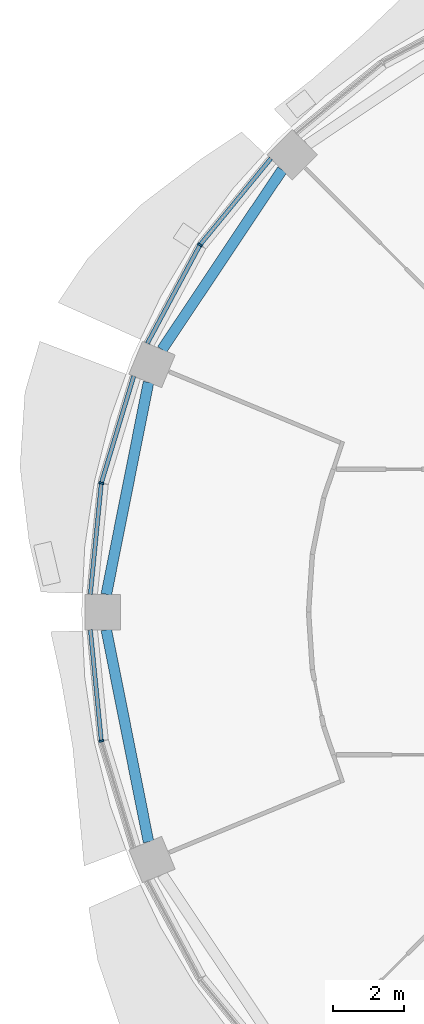
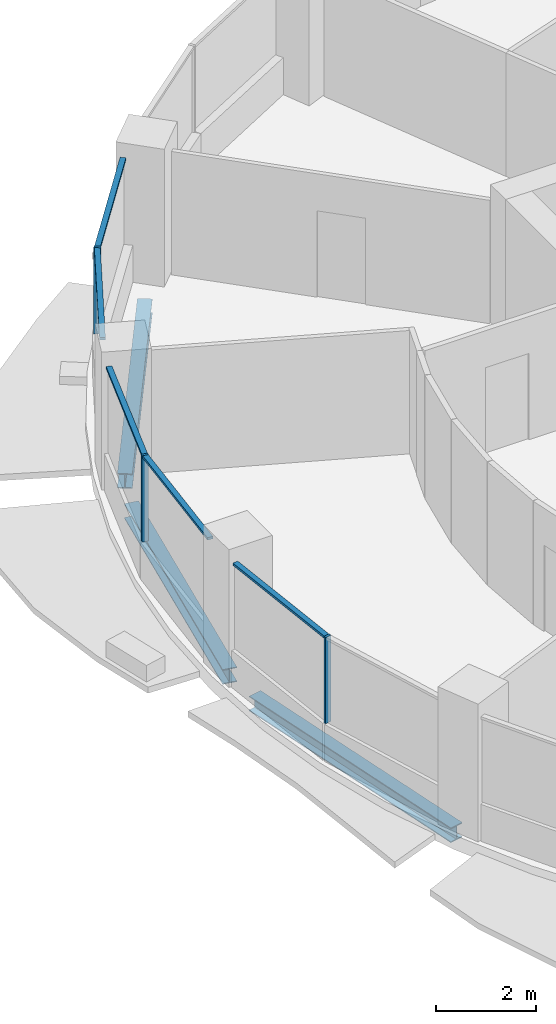
# One storey, part 4 of 15: 8 members, 3 beams, 3 elements without a shape of their own.
"""IFC4 building model written with IfcOpenShell, lengths in metres."""

from ifc_helpers import new_model, si_unit, direction, frame, origin, origin_2d, place, context, subcontext, project, spatial, rectangle, i_section, extrude, material, material_profile, profile_set, type_object, element, aggregate, save


model = new_model("IFC4")

# Units and contexts
model_context = context("Model", 3, precision=1e-05, world=origin(), true_north=direction((0.0, 1.0)))
body_context = subcontext(model_context, "Body", "Model", "MODEL_VIEW")
ifc_project = project(units=[si_unit("LENGTHUNIT", "METRE"), si_unit("AREAUNIT", "SQUARE_METRE"), si_unit("VOLUMEUNIT", "CUBIC_METRE"), si_unit("PLANEANGLEUNIT", "RADIAN"), si_unit("MASSUNIT", "GRAM", prefix="KILO")], contexts=[model_context])

# Site, building, storey
site_placement = place(None, origin())
site = spatial("IfcSite", under=ifc_project, at=site_placement, CompositionType="ELEMENT")
building_placement = place(site_placement, origin())
building = spatial("IfcBuilding", under=site, at=building_placement, Name="Polderwave Tower", CompositionType="ELEMENT")
storey_placement = place(building_placement, frame((0.0, 0.0, 151.10009765625)))
storey = spatial("IfcBuildingStorey", under=building, at=storey_placement, Name="L40", CompositionType="ELEMENT", Elevation=151.10009765625)

# Curtain wall, member
ifc_material_1 = material(Name="Aluminium 6063-T6 and glass", Category="aluminium")
curtain_wall_type = type_object("IfcCurtainWallType", Name="Office ribbon glazing wall", PredefinedType="NOTDEFINED", material=ifc_material_1)
curtain_wall_1_placement = place(storey_placement, origin())
curtain_wall_1 = element("IfcCurtainWall", 1, at=curtain_wall_1_placement, inside=storey, type_object=curtain_wall_type, Name="CW3 L40 06", PredefinedType="NOTDEFINED")
ifc_material_2 = material(Name="Aluminium 6063-T6", Category="aluminium")
ifc_material_profile_1 = material_profile(ifc_material_2, rectangle(XDim=0.139892578125, YDim=0.054931640625, at=origin_2d()), Name="AL 55x140")
ifc_profile_set_1 = profile_set([ifc_material_profile_1], Name="Aluminium 6063-T6")
member_type_1 = type_object("IfcMemberType", Name="Office ribbon glazing mullion 55x140", PredefinedType="MULLION", material=ifc_profile_set_1)
member_1_placement = place(storey_placement, frame((-15.489990234375, 10.35009765625, 0.89990234375), z_axis=(0.0, 0.0, 1.0), x_axis=(0.831484156812, -0.555548465006, 0.0)))
member_1 = element("IfcMember", 2, at=member_1_placement, type_object=member_type_1, Name="CW3 mullion 1", PredefinedType="MULLION", context=body_context, shape_type="SweptSolid", body=[
    extrude(rectangle(XDim=0.139892578125, YDim=0.054931640625, at=origin_2d()), origin(), (0.0, 0.0, 1.0), 2.10009765625),
])

curtain_wall_2_placement = place(storey_placement, origin())
curtain_wall_2 = element("IfcCurtainWall", 3, at=curtain_wall_2_placement, inside=storey, type_object=curtain_wall_type, Name="CW3 L40 07", PredefinedType="NOTDEFINED")
member_2_placement = place(storey_placement, frame((-18.27197265625, 3.635009765625, 0.89990234375), z_axis=(0.0, 0.0, 1.0), x_axis=(0.980786642367, -0.195083474838, 0.0)))
member_2 = element("IfcMember", 4, at=member_2_placement, type_object=member_type_1, Name="CW3 mullion 1", PredefinedType="MULLION", context=body_context, shape_type="SweptSolid", body=[
    extrude(rectangle(XDim=0.139892578125, YDim=0.054931640625, at=origin_2d()), origin(), (0.0, 0.0, 1.0), 2.10009765625),
])

curtain_wall_3_placement = place(storey_placement, origin())
curtain_wall_3 = element("IfcCurtainWall", 5, at=curtain_wall_3_placement, inside=storey, type_object=curtain_wall_type, Name="CW3 L40 08", PredefinedType="NOTDEFINED")
member_3_placement = place(storey_placement, frame((-18.27197265625, -3.635009765625, 0.89990234375), z_axis=(0.0, 0.0, 1.0), x_axis=(0.980786642367, 0.195083474838, 0.0)))
member_3 = element("IfcMember", 6, at=member_3_placement, type_object=member_type_1, Name="CW3 mullion 1", PredefinedType="MULLION", context=body_context, shape_type="SweptSolid", body=[
    extrude(rectangle(XDim=0.139892578125, YDim=0.054931640625, at=origin_2d()), origin(), (0.0, 0.0, 1.0), 2.10009765625),
])

# Member
ifc_material_profile_2 = material_profile(ifc_material_2, rectangle(XDim=0.1201171875, YDim=0.06005859375, at=origin_2d()), Name="AL 60x120")
ifc_profile_set_2 = profile_set([ifc_material_profile_2], Name="Aluminium 6063-T6")
member_type_2 = type_object("IfcMemberType", Name="Office ribbon glazing transom 60x120", PredefinedType="USERDEFINED", material=ifc_profile_set_2)
member_4_placement = place(storey_placement, frame((-13.491943359375, 12.784912109375, 2.969970703125), z_axis=(-0.634382512988, -0.773019292913, 0.0), x_axis=(0.773019292913, -0.634382512988, 0.0)))
member_4 = element("IfcMember", 7, at=member_4_placement, type_object=member_type_2, Name="CW3 transom 1", ObjectType="TRANSOM", PredefinedType="USERDEFINED", context=body_context, shape_type="SweptSolid", body=[
    extrude(rectangle(XDim=0.1201171875, YDim=0.06005859375, at=origin_2d()), origin(), (0.0, 0.0, 1.0), 3.122314453125),
])

member_5_placement = place(storey_placement, frame((-15.5029296875, 10.32568359375, 2.969970703125), z_axis=(-0.471472684712, -0.881880665153, 0.0), x_axis=(0.881880665153, -0.471472684712, 0.0)))
member_5 = element("IfcMember", 8, at=member_5_placement, type_object=member_type_2, Name="CW3 transom 2", ObjectType="TRANSOM", PredefinedType="USERDEFINED", context=body_context, shape_type="SweptSolid", body=[
    extrude(rectangle(XDim=0.1201171875, YDim=0.06005859375, at=origin_2d()), origin(), (0.0, 0.0, 1.0), 3.12255859375),
])

aggregate(curtain_wall_1, [member_1, member_4, member_5])

member_6_placement = place(storey_placement, frame((-17.35791015625, 6.64892578125, 2.969970703125), z_axis=(-0.290209241883, -0.956963215555, 0.0), x_axis=(0.956963215555, -0.290209241883, 0.0)))
member_6 = element("IfcMember", 9, at=member_6_placement, type_object=member_type_2, Name="CW3 transom 1", ObjectType="TRANSOM", PredefinedType="USERDEFINED", context=body_context, shape_type="SweptSolid", body=[
    extrude(rectangle(XDim=0.1201171875, YDim=0.06005859375, at=origin_2d()), origin(), (0.0, 0.0, 1.0), 3.121826171875),
])

member_7_placement = place(storey_placement, frame((-18.274658203125, 3.607666015625, 2.969970703125), z_axis=(-0.098118026186, -0.995174785119, 0.0), x_axis=(0.995174785119, -0.098118026186, 0.0)))
member_7 = element("IfcMember", 10, at=member_7_placement, type_object=member_type_2, Name="CW3 transom 2", ObjectType="TRANSOM", PredefinedType="USERDEFINED", context=body_context, shape_type="SweptSolid", body=[
    extrude(rectangle(XDim=0.1201171875, YDim=0.06005859375, at=origin_2d()), origin(), (0.0, 0.0, 1.0), 3.122802734375),
])

aggregate(curtain_wall_2, [member_2, member_6, member_7])

member_8_placement = place(storey_placement, frame((-18.5810546875, -0.5, 2.969970703125), z_axis=(0.098118026186, -0.995174785119, 0.0), x_axis=(0.995174785119, 0.098118026186, 0.0)))
member_8 = element("IfcMember", 11, at=member_8_placement, type_object=member_type_2, Name="CW3 transom 1", ObjectType="TRANSOM", PredefinedType="USERDEFINED", context=body_context, shape_type="SweptSolid", body=[
    extrude(rectangle(XDim=0.1201171875, YDim=0.06005859375, at=origin_2d()), origin(), (0.0, 0.0, 1.0), 3.122802734375),
])

aggregate(curtain_wall_3, [member_3, member_8])

# Beams
ifc_material_3 = material(Name="Steel S355", Category="steel")
ifc_material_profile_3 = material_profile(ifc_material_3, i_section(OverallWidth=0.300048828125, OverallDepth=0.360107421875, WebThickness=0.012451171875, FlangeThickness=0.0224609375, at=origin_2d()), Name="HE 360 B")
ifc_profile_set_3 = profile_set([ifc_material_profile_3], Name="Steel S355")
beam_type = type_object("IfcBeamType", Name="RING BEAM HE 360 B", PredefinedType="BEAM", material=ifc_profile_set_3)
for number, where, z_axis, x_axis, name in (
    (12, (-13.173828125, 12.466796875, -0.530029296875), (-0.555550531273, -0.831482776251, 0.0), (0.831482776251, -0.555550531273, 0.0), "ST-RB-L40-06"),
    (13, (-16.94189453125, 6.476318359375, -0.530029296875), (-0.19508354483, -0.980786628445, 0.0), (0.980786628445, -0.19508354483, 0.0), "ST-RB-L40-07"),
    (14, (-18.130615234375, -0.5, -0.530029296875), (0.19508354483, -0.980786628445, 0.0), (0.980786628445, 0.19508354483, 0.0), "ST-RB-L40-08"),
):
    element("IfcBeam", number, at=place(storey_placement, frame(where, z_axis=z_axis, x_axis=x_axis)), inside=storey, type_object=beam_type, Name=name, PredefinedType="BEAM", context=body_context, shape_type="SweptSolid", body=[
        extrude(i_section(OverallWidth=0.300048828125, OverallDepth=0.360107421875, WebThickness=0.012451171875, FlangeThickness=0.0224609375, at=origin_2d()), origin(), (0.0, 0.0, 1.0), 6.093505859375),
    ])

save(model, "model.ifc")
